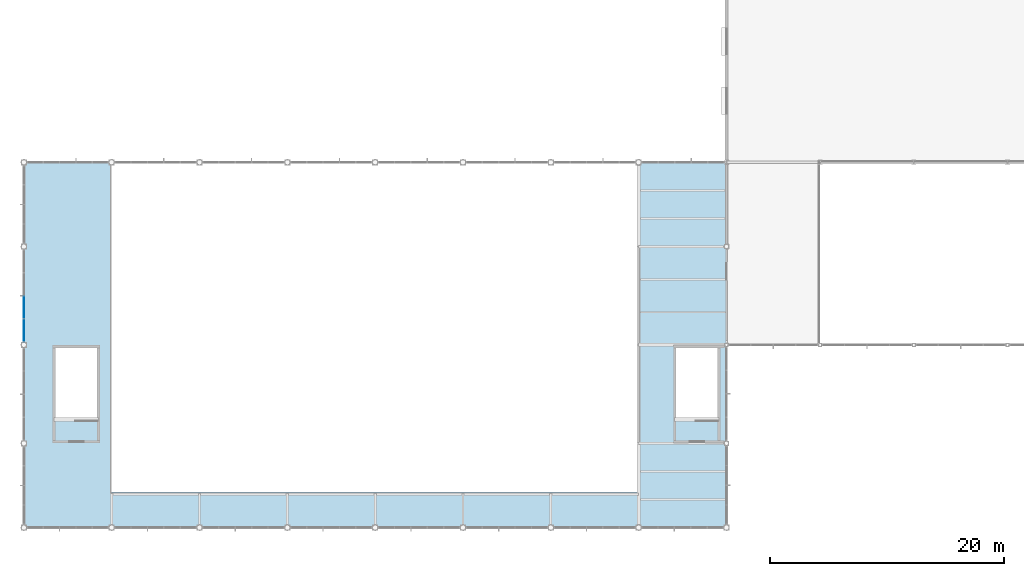
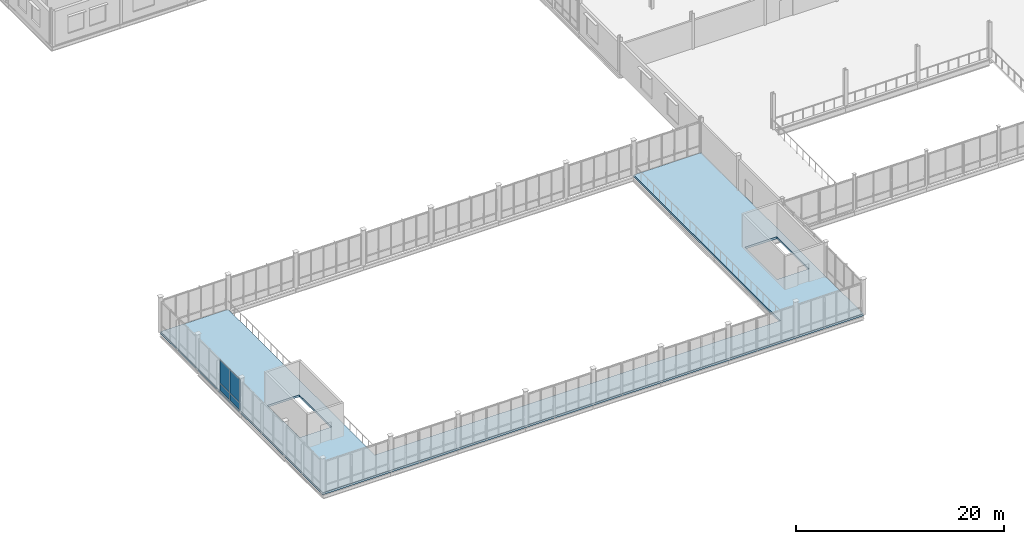
# One storey, part 40 of 75: 4 plates, 1 slab, 1 element without a shape of its own.
"""IFC4 building model written with IfcOpenShell, lengths in metres."""

from ifc_helpers import new_model, si_unit, direction, frame, origin, origin_2d, place, context, subcontext, project, spatial, polyline, rectangle, outline, extrude, material, layer, layer_set, type_object, element, aggregate, save


model = new_model("IFC4")

# Units and contexts
model_context = context("Model", 3, precision=1e-05, world=origin(), true_north=direction((0.0, 1.0)))
body_context = subcontext(model_context, "Body", "Model", "MODEL_VIEW")
ifc_project = project(units=[si_unit("LENGTHUNIT", "METRE"), si_unit("AREAUNIT", "SQUARE_METRE"), si_unit("VOLUMEUNIT", "CUBIC_METRE"), si_unit("PLANEANGLEUNIT", "RADIAN"), si_unit("MASSUNIT", "GRAM", prefix="KILO")], contexts=[model_context])

# Site, building, storey
site_placement = place(None, origin())
site = spatial("IfcSite", under=ifc_project, at=site_placement, CompositionType="ELEMENT")
building_placement = place(site_placement, origin())
building = spatial("IfcBuilding", under=site, at=building_placement, Name="Yukiwa Park Conservatory and Herbarium", CompositionType="ELEMENT")
storey_placement = place(building_placement, frame((0.0, 0.0, 4.800048828125)))
storey = spatial("IfcBuildingStorey", under=building, at=storey_placement, Name="L01", CompositionType="ELEMENT", Elevation=4.800048828125)

# Curtain wall, plates
ifc_material_1 = material(Name="Triple Low-E Insulated Glass", Category="glass")
ifc_layer_1 = layer(ifc_material_1, 0.1640625)
ifc_layer_set_1 = layer_set([ifc_layer_1], Name="Triple Low-E Insulated Glass")
curtain_wall_type = type_object("IfcCurtainWallType", Name="CW-CONSERVATORY-1875", PredefinedType="NOTDEFINED", material=ifc_layer_set_1)
curtain_wall_placement = place(storey_placement, origin())
curtain_wall = element("IfcCurtainWall", 1, at=curtain_wall_placement, inside=storey, type_object=curtain_wall_type, Name="L01 unitised curtain wall CW-L01-059", PredefinedType="NOTDEFINED")
ifc_material_2 = material(Name="Triple Low-E Insulated Glass", Category="glass")
ifc_layer_2 = layer(ifc_material_2, 0.035888671875)
ifc_layer_set_2 = layer_set([ifc_layer_2], Name="Triple Low-E Insulated Glass")
plate_type_1 = type_object("IfcPlateType", Name="PL-CW-GLZ-36", PredefinedType="CURTAIN_PANEL", material=ifc_layer_set_2)
plate_1_placement = place(storey_placement, frame((0.0, 18.8134765625, 0.93505859375), z_axis=(0.0, 0.0, 1.0), x_axis=(0.0, -1.0, 0.0)))
plate_1 = element("IfcPlate", 2, at=plate_1_placement, type_object=plate_type_1, Name="CW-L01-059 vision panel 3.2", PredefinedType="CURTAIN_PANEL", context=body_context, shape_type="SweptSolid", body=[
    extrude(rectangle(XDim=1.903076171875, YDim=0.035888671875, at=origin_2d()), origin(), (0.0, 0.0, 1.0), 2.695068359375),
])
plate_2_placement = place(storey_placement, frame((0.0, 16.840576171875, 0.93505859375), z_axis=(0.0, 0.0, 1.0), x_axis=(0.0, -1.0, 0.0)))
plate_2 = element("IfcPlate", 3, at=plate_2_placement, type_object=plate_type_1, Name="CW-L01-059 vision panel 4.2", PredefinedType="CURTAIN_PANEL", context=body_context, shape_type="SweptSolid", body=[
    extrude(rectangle(XDim=1.903076171875, YDim=0.035888671875, at=origin_2d()), origin(), (0.0, 0.0, 1.0), 2.695068359375),
])
ifc_material_3 = material(Name="Anodised Aluminium", Category="aluminium")
ifc_layer_3 = layer(ifc_material_3, 0.044921875)
ifc_layer_set_3 = layer_set([ifc_layer_3], Name="Anodised Aluminium")
plate_type_2 = type_object("IfcPlateType", Name="PL-CW-SPN-45", PredefinedType="CURTAIN_PANEL", material=ifc_layer_set_3)
plate_3_placement = place(storey_placement, frame((0.0, 18.8134765625, 0.070068359375), z_axis=(0.0, 0.0, 1.0), x_axis=(0.0, -1.0, 0.0)))
plate_3 = element("IfcPlate", 4, at=plate_3_placement, type_object=plate_type_2, Name="CW-L01-059 spandrel panel 3.1", PredefinedType="CURTAIN_PANEL", context=body_context, shape_type="SweptSolid", body=[
    extrude(rectangle(XDim=1.903076171875, YDim=0.044921875, at=origin_2d()), origin(), (0.0, 0.0, 1.0), 0.794921875),
])
plate_4_placement = place(storey_placement, frame((0.0, 16.840576171875, 0.070068359375), z_axis=(0.0, 0.0, 1.0), x_axis=(0.0, -1.0, 0.0)))
plate_4 = element("IfcPlate", 5, at=plate_4_placement, type_object=plate_type_2, Name="CW-L01-059 spandrel panel 4.1", PredefinedType="CURTAIN_PANEL", context=body_context, shape_type="SweptSolid", body=[
    extrude(rectangle(XDim=1.903076171875, YDim=0.044921875, at=origin_2d()), origin(), (0.0, 0.0, 1.0), 0.794921875),
])
aggregate(curtain_wall, [plate_3, plate_1, plate_4, plate_2])

# Slab
ifc_material_4 = material(Name="Concrete C40", Category="concrete")
ifc_layer_4 = layer(ifc_material_4, 0.239990234375)
ifc_layer_set_4 = layer_set([ifc_layer_4], Name="Concrete C40")
slab_type = type_object("IfcSlabType", Name="SL-FLR-240", PredefinedType="FLOOR", material=ifc_layer_set_4)
slab_placement = place(storey_placement, frame((0.0, 0.0, -0.239990234375)))
element("IfcSlab", 6, at=slab_placement, inside=storey, type_object=slab_type, Name="L01 composite structural floor slab V1", PredefinedType="FLOOR", context=body_context, shape_type="SweptSolid", body=[
    extrude(outline(polyline([(52.5, 31.199951171875), (60.0, 31.199951171875), (60.0, 0.0), (52.5, 0.0), (7.5, 0.0), (0.0, 0.0), (0.0, 31.199951171875), (7.5, 31.199951171875), (7.5, 3.0), (52.5, 3.0), (52.5, 31.199951171875)]), holes=[polyline([(6.25, 15.35009765625), (2.699951171875, 15.35009765625), (2.699951171875, 9.14990234375), (6.25, 9.14990234375), (6.25, 15.35009765625)]), polyline([(59.25, 15.35009765625), (55.699951171875, 15.35009765625), (55.699951171875, 9.14990234375), (59.25, 9.14990234375), (59.25, 15.35009765625)])]), origin(), (0.0, 0.0, 1.0), 0.239990234375),
])

save(model, "model.ifc")
